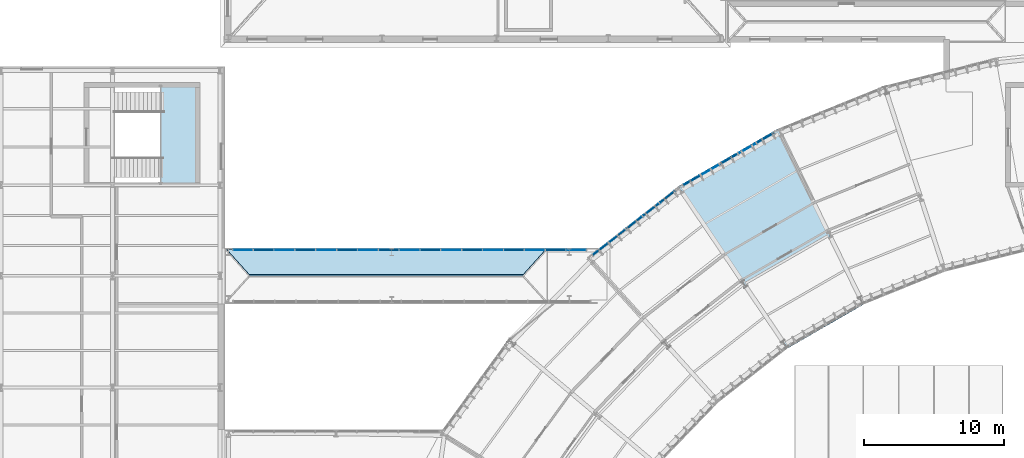
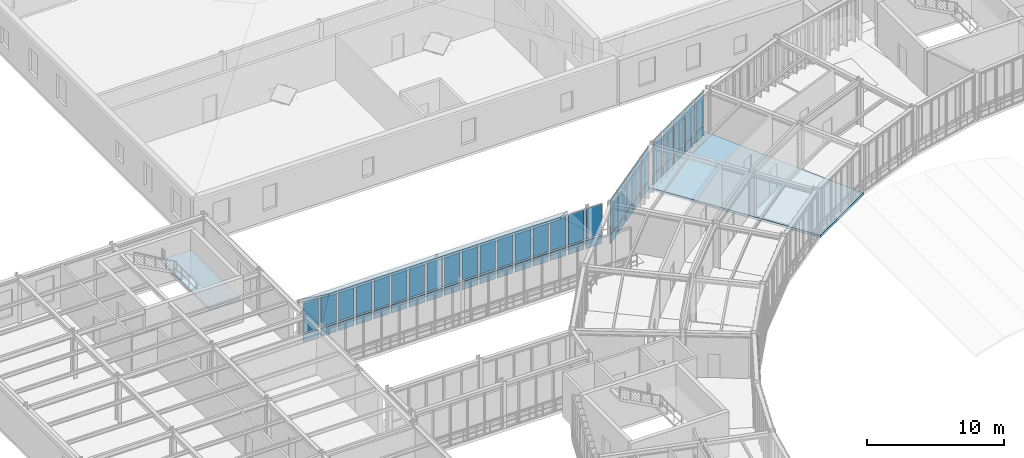
# One storey, part 31 of 57: 54 plates, 3 slabs, 4 elements without a shape of their own.
"""IFC4 building model written with IfcOpenShell, lengths in metres."""

from ifc_helpers import new_model, si_unit, direction, frame, origin, origin_2d, place, context, subcontext, project, spatial, polyline, rectangle, outline, extrude, material, layer, layer_set, type_object, element, aggregate, save


model = new_model("IFC4")

# Units and contexts
model_context = context("Model", 3, precision=1e-05, world=origin(), true_north=direction((0.0, 1.0)))
body_context = subcontext(model_context, "Body", "Model", "MODEL_VIEW")
ifc_project = project(units=[si_unit("LENGTHUNIT", "METRE"), si_unit("AREAUNIT", "SQUARE_METRE"), si_unit("VOLUMEUNIT", "CUBIC_METRE"), si_unit("PLANEANGLEUNIT", "RADIAN"), si_unit("MASSUNIT", "GRAM", prefix="KILO"), si_unit("THERMODYNAMICTEMPERATUREUNIT", "KELVIN"), si_unit("POWERUNIT", "WATT")], contexts=[model_context])

# Site, building, storey
site_placement = place(None, origin())
site = spatial("IfcSite", under=ifc_project, at=site_placement, CompositionType="ELEMENT")
building_placement = place(site_placement, origin())
building = spatial("IfcBuilding", under=site, at=building_placement, Name="Solvatero Civic Police Headquarters", CompositionType="ELEMENT")
storey_placement = place(building_placement, frame((0.0, 0.0, 9.300048828125)))
storey = spatial("IfcBuildingStorey", under=building, at=storey_placement, Name="L02", CompositionType="ELEMENT", Elevation=9.300048828125)

# Curtain wall, plates
ifc_material_1 = material(Name="Anodized Bronze Aluminium", Category="aluminium")
ifc_layer_1 = layer(ifc_material_1, 0.179931640625)
ifc_layer_set_1 = layer_set([ifc_layer_1], Name="Anodized Bronze Aluminium")
curtain_wall_type_1 = type_object("IfcCurtainWallType", Name="CW-ARC-OUT", PredefinedType="USERDEFINED", material=ifc_layer_set_1)
curtain_wall_1_placement = place(storey_placement, origin())
curtain_wall_1 = element("IfcCurtainWall", 1, at=curtain_wall_1_placement, inside=storey, type_object=curtain_wall_type_1, Name="Curtain Wall CW-R2-L02-ARC-OUT-B05", ObjectType="UNITISED", PredefinedType="USERDEFINED")
ifc_material_2 = material(Name="Triple Low-E Laminated Glass", Category="glass")
ifc_layer_2 = layer(ifc_material_2, 0.0380859375)
ifc_layer_set_2 = layer_set([ifc_layer_2], Name="Triple Low-E Laminated Glass")
plate_type_1 = type_object("IfcPlateType", Name="CWP-GLZ-38", PredefinedType="CURTAIN_PANEL", material=ifc_layer_set_2)
plate_1_placement = place(storey_placement, frame((65.9462890625, 77.626220703125, 0.91015625), z_axis=(0.0, 0.0, 1.0), x_axis=(-0.866025403784, -0.5, 0.0)))
plate_1 = element("IfcPlate", 2, at=plate_1_placement, type_object=plate_type_1, Name="CW-R2-L02-ARC-OUT-B05 Vision Glazing 2", PredefinedType="CURTAIN_PANEL", context=body_context, shape_type="SweptSolid", body=[
    extrude(rectangle(XDim=1.349609375, YDim=0.0380859375, at=origin_2d()), origin(), (0.0, 0.0, 1.0), 2.969970703125),
])
plate_2_placement = place(storey_placement, frame((63.297119140625, 76.0966796875, 0.91015625), z_axis=(0.0, 0.0, 1.0), x_axis=(-0.866025403784, -0.5, 0.0)))
plate_2 = element("IfcPlate", 3, at=plate_2_placement, type_object=plate_type_1, Name="CW-R2-L02-ARC-OUT-B05 Vision Glazing 4", PredefinedType="CURTAIN_PANEL", context=body_context, shape_type="SweptSolid", body=[
    extrude(rectangle(XDim=1.349609375, YDim=0.0380859375, at=origin_2d()), origin(), (0.0, 0.0, 1.0), 2.969970703125),
])

curtain_wall_2_placement = place(storey_placement, origin())
curtain_wall_2 = element("IfcCurtainWall", 4, at=curtain_wall_2_placement, inside=storey, type_object=curtain_wall_type_1, Name="Curtain Wall CW-R2-L02-ARC-OUT-B06", ObjectType="UNITISED", PredefinedType="USERDEFINED")
plate_3_placement = place(storey_placement, frame((59.05517578125, 73.23583984375, 0.91015625), z_axis=(0.0, 0.0, 1.0), x_axis=(-0.788021498807, -0.61564772185, 0.0)))
plate_3 = element("IfcPlate", 5, at=plate_3_placement, type_object=plate_type_1, Name="CW-R2-L02-ARC-OUT-B06 Vision Glazing 2", PredefinedType="CURTAIN_PANEL", context=body_context, shape_type="SweptSolid", body=[
    extrude(rectangle(XDim=1.347412109375, YDim=0.0380859375, at=origin_2d()), origin(), (0.0, 0.0, 1.0), 2.969970703125),
])
plate_4_placement = place(storey_placement, frame((56.64794921875, 71.355224609375, 0.91015625), z_axis=(0.0, 0.0, 1.0), x_axis=(-0.788021498807, -0.61564772185, 0.0)))
plate_4 = element("IfcPlate", 6, at=plate_4_placement, type_object=plate_type_1, Name="CW-R2-L02-ARC-OUT-B06 Vision Glazing 4", PredefinedType="CURTAIN_PANEL", context=body_context, shape_type="SweptSolid", body=[
    extrude(rectangle(XDim=1.347412109375, YDim=0.0380859375, at=origin_2d()), origin(), (0.0, 0.0, 1.0), 2.969970703125),
])

ifc_layer_3 = layer(ifc_material_1, 0.179931640625)
ifc_layer_set_3 = layer_set([ifc_layer_3], Name="Anodized Bronze Aluminium")
curtain_wall_type_2 = type_object("IfcCurtainWallType", Name="CW-SB-GLZ", PredefinedType="USERDEFINED", material=ifc_layer_set_3)
curtain_wall_3_placement = place(storey_placement, origin())
curtain_wall_3 = element("IfcCurtainWall", 7, at=curtain_wall_3_placement, inside=storey, type_object=curtain_wall_type_2, Name="Curtain Wall CW-R2-L02-SB2-N", ObjectType="UNITISED", PredefinedType="USERDEFINED")
plate_5_placement = place(storey_placement, frame((29.82568359375, 70.35009765625, 0.91015625), z_axis=(0.0, 0.0, 1.0), x_axis=(1.0, 0.0, 0.0)))
plate_5 = element("IfcPlate", 8, at=plate_5_placement, type_object=plate_type_1, Name="CW-R2-L02-SB2-N Vision Glazing 1", PredefinedType="CURTAIN_PANEL", context=body_context, shape_type="SweptSolid", body=[
    extrude(rectangle(XDim=1.313232421875, YDim=0.0380859375, at=origin_2d()), origin(), (0.0, 0.0, 1.0), 2.679931640625),
])
plate_6_placement = place(storey_placement, frame((32.812255859375, 70.35009765625, 0.91015625), z_axis=(0.0, 0.0, 1.0), x_axis=(1.0, 0.0, 0.0)))
plate_6 = element("IfcPlate", 9, at=plate_6_placement, type_object=plate_type_1, Name="CW-R2-L02-SB2-N Vision Glazing 3", PredefinedType="CURTAIN_PANEL", context=body_context, shape_type="SweptSolid", body=[
    extrude(rectangle(XDim=1.313232421875, YDim=0.0380859375, at=origin_2d()), origin(), (0.0, 0.0, 1.0), 2.679931640625),
])
plate_7_placement = place(storey_placement, frame((35.799072265625, 70.35009765625, 0.91015625), z_axis=(0.0, 0.0, 1.0), x_axis=(1.0, 0.0, 0.0)))
plate_7 = element("IfcPlate", 10, at=plate_7_placement, type_object=plate_type_1, Name="CW-R2-L02-SB2-N Vision Glazing 5", PredefinedType="CURTAIN_PANEL", context=body_context, shape_type="SweptSolid", body=[
    extrude(rectangle(XDim=1.313232421875, YDim=0.0380859375, at=origin_2d()), origin(), (0.0, 0.0, 1.0), 2.679931640625),
])
plate_8_placement = place(storey_placement, frame((38.78564453125, 70.35009765625, 0.91015625), z_axis=(0.0, 0.0, 1.0), x_axis=(1.0, 0.0, 0.0)))
plate_8 = element("IfcPlate", 11, at=plate_8_placement, type_object=plate_type_1, Name="CW-R2-L02-SB2-N Vision Glazing 7", PredefinedType="CURTAIN_PANEL", context=body_context, shape_type="SweptSolid", body=[
    extrude(rectangle(XDim=1.313232421875, YDim=0.0380859375, at=origin_2d()), origin(), (0.0, 0.0, 1.0), 2.679931640625),
])
plate_9_placement = place(storey_placement, frame((41.772216796875, 70.35009765625, 0.91015625), z_axis=(0.0, 0.0, 1.0), x_axis=(1.0, 0.0, 0.0)))
plate_9 = element("IfcPlate", 12, at=plate_9_placement, type_object=plate_type_1, Name="CW-R2-L02-SB2-N Vision Glazing 9", PredefinedType="CURTAIN_PANEL", context=body_context, shape_type="SweptSolid", body=[
    extrude(rectangle(XDim=1.313232421875, YDim=0.0380859375, at=origin_2d()), origin(), (0.0, 0.0, 1.0), 2.679931640625),
])
plate_10_placement = place(storey_placement, frame((44.7587890625, 70.35009765625, 0.91015625), z_axis=(0.0, 0.0, 1.0), x_axis=(1.0, 0.0, 0.0)))
plate_10 = element("IfcPlate", 13, at=plate_10_placement, type_object=plate_type_1, Name="CW-R2-L02-SB2-N Vision Glazing 11", PredefinedType="CURTAIN_PANEL", context=body_context, shape_type="SweptSolid", body=[
    extrude(rectangle(XDim=1.313232421875, YDim=0.0380859375, at=origin_2d()), origin(), (0.0, 0.0, 1.0), 2.679931640625),
])
plate_11_placement = place(storey_placement, frame((47.74560546875, 70.35009765625, 0.91015625), z_axis=(0.0, 0.0, 1.0), x_axis=(1.0, 0.0, 0.0)))
plate_11 = element("IfcPlate", 14, at=plate_11_placement, type_object=plate_type_1, Name="CW-R2-L02-SB2-N Vision Glazing 13", PredefinedType="CURTAIN_PANEL", context=body_context, shape_type="SweptSolid", body=[
    extrude(rectangle(XDim=1.313232421875, YDim=0.0380859375, at=origin_2d()), origin(), (0.0, 0.0, 1.0), 2.679931640625),
])
plate_12_placement = place(storey_placement, frame((50.732177734375, 70.35009765625, 0.91015625), z_axis=(0.0, 0.0, 1.0), x_axis=(1.0, 0.0, 0.0)))
plate_12 = element("IfcPlate", 15, at=plate_12_placement, type_object=plate_type_1, Name="CW-R2-L02-SB2-N Vision Glazing 15", PredefinedType="CURTAIN_PANEL", context=body_context, shape_type="SweptSolid", body=[
    extrude(rectangle(XDim=1.313232421875, YDim=0.0380859375, at=origin_2d()), origin(), (0.0, 0.0, 1.0), 2.679931640625),
])
plate_13_placement = place(storey_placement, frame((53.71875, 70.35009765625, 0.91015625), z_axis=(0.0, 0.0, 1.0), x_axis=(1.0, 0.0, 0.0)))
plate_13 = element("IfcPlate", 16, at=plate_13_placement, type_object=plate_type_1, Name="CW-R2-L02-SB2-N Vision Glazing 17", PredefinedType="CURTAIN_PANEL", context=body_context, shape_type="SweptSolid", body=[
    extrude(rectangle(XDim=1.313232421875, YDim=0.0380859375, at=origin_2d()), origin(), (0.0, 0.0, 1.0), 2.679931640625),
])

# Plate
ifc_material_3 = material(Name="Acoustic Ballistic Laminated Glass", Category="glass")
ifc_layer_4 = layer(ifc_material_3, 0.0439453125)
ifc_layer_set_4 = layer_set([ifc_layer_4], Name="Acoustic Ballistic Laminated Glass")
plate_type_2 = type_object("IfcPlateType", Name="CWP-GLZ-44", PredefinedType="CURTAIN_PANEL", material=ifc_layer_set_4)
plate_14_placement = place(storey_placement, frame((67.270751953125, 78.39111328125, 0.91015625), z_axis=(0.0, 0.0, 1.0), x_axis=(-0.866025403784, -0.5, 0.0)))
plate_14 = element("IfcPlate", 17, at=plate_14_placement, type_object=plate_type_2, Name="CW-R2-L02-ARC-OUT-B05 Vision Glazing 1", PredefinedType="CURTAIN_PANEL", context=body_context, shape_type="SweptSolid", body=[
    extrude(rectangle(XDim=1.349609375, YDim=0.0439453125, at=origin_2d()), origin(), (0.0, 0.0, 1.0), 2.969970703125),
])

plate_15_placement = place(storey_placement, frame((64.62158203125, 76.861572265625, 0.91015625), z_axis=(0.0, 0.0, 1.0), x_axis=(-0.866025403784, -0.5, 0.0)))
plate_15 = element("IfcPlate", 18, at=plate_15_placement, type_object=plate_type_2, Name="CW-R2-L02-ARC-OUT-B05 Vision Glazing 3", PredefinedType="CURTAIN_PANEL", context=body_context, shape_type="SweptSolid", body=[
    extrude(rectangle(XDim=1.349609375, YDim=0.0439453125, at=origin_2d()), origin(), (0.0, 0.0, 1.0), 2.969970703125),
])

plate_16_placement = place(storey_placement, frame((61.97265625, 75.33203125, 0.91015625), z_axis=(0.0, 0.0, 1.0), x_axis=(-0.866025403784, -0.5, 0.0)))
plate_16 = element("IfcPlate", 19, at=plate_16_placement, type_object=plate_type_2, Name="CW-R2-L02-ARC-OUT-B05 Vision Glazing 5", PredefinedType="CURTAIN_PANEL", context=body_context, shape_type="SweptSolid", body=[
    extrude(rectangle(XDim=1.349609375, YDim=0.0439453125, at=origin_2d()), origin(), (0.0, 0.0, 1.0), 2.969970703125),
])

plate_17_placement = place(storey_placement, frame((60.258544921875, 74.176025390625, 0.91015625), z_axis=(0.0, 0.0, 1.0), x_axis=(-0.788021498807, -0.61564772185, 0.0)))
plate_17 = element("IfcPlate", 20, at=plate_17_placement, type_object=plate_type_2, Name="CW-R2-L02-ARC-OUT-B06 Vision Glazing 1", PredefinedType="CURTAIN_PANEL", context=body_context, shape_type="SweptSolid", body=[
    extrude(rectangle(XDim=1.347412109375, YDim=0.0439453125, at=origin_2d()), origin(), (0.0, 0.0, 1.0), 2.969970703125),
])

plate_18_placement = place(storey_placement, frame((57.8515625, 72.29541015625, 0.91015625), z_axis=(0.0, 0.0, 1.0), x_axis=(-0.788021498807, -0.61564772185, 0.0)))
plate_18 = element("IfcPlate", 21, at=plate_18_placement, type_object=plate_type_2, Name="CW-R2-L02-ARC-OUT-B06 Vision Glazing 3", PredefinedType="CURTAIN_PANEL", context=body_context, shape_type="SweptSolid", body=[
    extrude(rectangle(XDim=1.347412109375, YDim=0.0439453125, at=origin_2d()), origin(), (0.0, 0.0, 1.0), 2.969970703125),
])

plate_19_placement = place(storey_placement, frame((55.444580078125, 70.414794921875, 0.91015625), z_axis=(0.0, 0.0, 1.0), x_axis=(-0.788021498807, -0.61564772185, 0.0)))
plate_19 = element("IfcPlate", 22, at=plate_19_placement, type_object=plate_type_2, Name="CW-R2-L02-ARC-OUT-B06 Vision Glazing 5", PredefinedType="CURTAIN_PANEL", context=body_context, shape_type="SweptSolid", body=[
    extrude(rectangle(XDim=1.347412109375, YDim=0.0439453125, at=origin_2d()), origin(), (0.0, 0.0, 1.0), 2.969970703125),
])

plate_20_placement = place(storey_placement, frame((31.319091796875, 70.35009765625, 0.91015625), z_axis=(0.0, 0.0, 1.0), x_axis=(1.0, 0.0, 0.0)))
plate_20 = element("IfcPlate", 23, at=plate_20_placement, type_object=plate_type_2, Name="CW-R2-L02-SB2-N Vision Glazing 2", PredefinedType="CURTAIN_PANEL", context=body_context, shape_type="SweptSolid", body=[
    extrude(rectangle(XDim=1.313232421875, YDim=0.0439453125, at=origin_2d()), origin(), (0.0, 0.0, 1.0), 2.679931640625),
])

plate_21_placement = place(storey_placement, frame((34.3056640625, 70.35009765625, 0.91015625), z_axis=(0.0, 0.0, 1.0), x_axis=(1.0, 0.0, 0.0)))
plate_21 = element("IfcPlate", 24, at=plate_21_placement, type_object=plate_type_2, Name="CW-R2-L02-SB2-N Vision Glazing 4", PredefinedType="CURTAIN_PANEL", context=body_context, shape_type="SweptSolid", body=[
    extrude(rectangle(XDim=1.313232421875, YDim=0.0439453125, at=origin_2d()), origin(), (0.0, 0.0, 1.0), 2.679931640625),
])

plate_22_placement = place(storey_placement, frame((37.292236328125, 70.35009765625, 0.91015625), z_axis=(0.0, 0.0, 1.0), x_axis=(1.0, 0.0, 0.0)))
plate_22 = element("IfcPlate", 25, at=plate_22_placement, type_object=plate_type_2, Name="CW-R2-L02-SB2-N Vision Glazing 6", PredefinedType="CURTAIN_PANEL", context=body_context, shape_type="SweptSolid", body=[
    extrude(rectangle(XDim=1.313232421875, YDim=0.0439453125, at=origin_2d()), origin(), (0.0, 0.0, 1.0), 2.679931640625),
])

plate_23_placement = place(storey_placement, frame((40.27880859375, 70.35009765625, 0.91015625), z_axis=(0.0, 0.0, 1.0), x_axis=(1.0, 0.0, 0.0)))
plate_23 = element("IfcPlate", 26, at=plate_23_placement, type_object=plate_type_2, Name="CW-R2-L02-SB2-N Vision Glazing 8", PredefinedType="CURTAIN_PANEL", context=body_context, shape_type="SweptSolid", body=[
    extrude(rectangle(XDim=1.313232421875, YDim=0.0439453125, at=origin_2d()), origin(), (0.0, 0.0, 1.0), 2.679931640625),
])

plate_24_placement = place(storey_placement, frame((43.265625, 70.35009765625, 0.91015625), z_axis=(0.0, 0.0, 1.0), x_axis=(1.0, 0.0, 0.0)))
plate_24 = element("IfcPlate", 27, at=plate_24_placement, type_object=plate_type_2, Name="CW-R2-L02-SB2-N Vision Glazing 10", PredefinedType="CURTAIN_PANEL", context=body_context, shape_type="SweptSolid", body=[
    extrude(rectangle(XDim=1.313232421875, YDim=0.0439453125, at=origin_2d()), origin(), (0.0, 0.0, 1.0), 2.679931640625),
])

plate_25_placement = place(storey_placement, frame((46.252197265625, 70.35009765625, 0.91015625), z_axis=(0.0, 0.0, 1.0), x_axis=(1.0, 0.0, 0.0)))
plate_25 = element("IfcPlate", 28, at=plate_25_placement, type_object=plate_type_2, Name="CW-R2-L02-SB2-N Vision Glazing 12", PredefinedType="CURTAIN_PANEL", context=body_context, shape_type="SweptSolid", body=[
    extrude(rectangle(XDim=1.313232421875, YDim=0.0439453125, at=origin_2d()), origin(), (0.0, 0.0, 1.0), 2.679931640625),
])

plate_26_placement = place(storey_placement, frame((49.239013671875, 70.35009765625, 0.91015625), z_axis=(0.0, 0.0, 1.0), x_axis=(1.0, 0.0, 0.0)))
plate_26 = element("IfcPlate", 29, at=plate_26_placement, type_object=plate_type_2, Name="CW-R2-L02-SB2-N Vision Glazing 14", PredefinedType="CURTAIN_PANEL", context=body_context, shape_type="SweptSolid", body=[
    extrude(rectangle(XDim=1.313232421875, YDim=0.0439453125, at=origin_2d()), origin(), (0.0, 0.0, 1.0), 2.679931640625),
])

plate_27_placement = place(storey_placement, frame((52.2255859375, 70.35009765625, 0.91015625), z_axis=(0.0, 0.0, 1.0), x_axis=(1.0, 0.0, 0.0)))
plate_27 = element("IfcPlate", 30, at=plate_27_placement, type_object=plate_type_2, Name="CW-R2-L02-SB2-N Vision Glazing 16", PredefinedType="CURTAIN_PANEL", context=body_context, shape_type="SweptSolid", body=[
    extrude(rectangle(XDim=1.313232421875, YDim=0.0439453125, at=origin_2d()), origin(), (0.0, 0.0, 1.0), 2.679931640625),
])

ifc_material_4 = material(Name="Insulated Bronze Aluminium Spandrel", Category="aluminium")
ifc_layer_5 = layer(ifc_material_4, 0.06005859375)
ifc_layer_set_5 = layer_set([ifc_layer_5], Name="Insulated Bronze Aluminium Spandrel")
plate_type_3 = type_object("IfcPlateType", Name="CWP-SPN-60", PredefinedType="CURTAIN_PANEL", material=ifc_layer_set_5)
plate_28_placement = place(storey_placement, frame((65.9462890625, 77.626220703125, 0.06005859375), z_axis=(0.0, 0.0, 1.0), x_axis=(-0.866025403784, -0.5, 0.0)))
plate_28 = element("IfcPlate", 31, at=plate_28_placement, type_object=plate_type_3, Name="CW-R2-L02-ARC-OUT-B05 Spandrel Panel 2", PredefinedType="CURTAIN_PANEL", context=body_context, shape_type="SweptSolid", body=[
    extrude(rectangle(XDim=1.349609375, YDim=0.06005859375, at=origin_2d()), origin(), (0.0, 0.0, 1.0), 0.72998046875),
])

plate_29_placement = place(storey_placement, frame((63.297119140625, 76.0966796875, 0.06005859375), z_axis=(0.0, 0.0, 1.0), x_axis=(-0.866025403784, -0.5, 0.0)))
plate_29 = element("IfcPlate", 32, at=plate_29_placement, type_object=plate_type_3, Name="CW-R2-L02-ARC-OUT-B05 Spandrel Panel 4", PredefinedType="CURTAIN_PANEL", context=body_context, shape_type="SweptSolid", body=[
    extrude(rectangle(XDim=1.349609375, YDim=0.06005859375, at=origin_2d()), origin(), (0.0, 0.0, 1.0), 0.72998046875),
])

plate_30_placement = place(storey_placement, frame((59.05517578125, 73.23583984375, 0.06005859375), z_axis=(0.0, 0.0, 1.0), x_axis=(-0.788021498807, -0.61564772185, 0.0)))
plate_30 = element("IfcPlate", 33, at=plate_30_placement, type_object=plate_type_3, Name="CW-R2-L02-ARC-OUT-B06 Spandrel Panel 2", PredefinedType="CURTAIN_PANEL", context=body_context, shape_type="SweptSolid", body=[
    extrude(rectangle(XDim=1.347412109375, YDim=0.06005859375, at=origin_2d()), origin(), (0.0, 0.0, 1.0), 0.72998046875),
])

plate_31_placement = place(storey_placement, frame((56.64794921875, 71.355224609375, 0.06005859375), z_axis=(0.0, 0.0, 1.0), x_axis=(-0.788021498807, -0.61564772185, 0.0)))
plate_31 = element("IfcPlate", 34, at=plate_31_placement, type_object=plate_type_3, Name="CW-R2-L02-ARC-OUT-B06 Spandrel Panel 4", PredefinedType="CURTAIN_PANEL", context=body_context, shape_type="SweptSolid", body=[
    extrude(rectangle(XDim=1.347412109375, YDim=0.06005859375, at=origin_2d()), origin(), (0.0, 0.0, 1.0), 0.72998046875),
])

plate_32_placement = place(storey_placement, frame((29.82568359375, 70.35009765625, 0.06005859375), z_axis=(0.0, 0.0, 1.0), x_axis=(1.0, 0.0, 0.0)))
plate_32 = element("IfcPlate", 35, at=plate_32_placement, type_object=plate_type_3, Name="CW-R2-L02-SB2-N Spandrel Panel 1", PredefinedType="CURTAIN_PANEL", context=body_context, shape_type="SweptSolid", body=[
    extrude(rectangle(XDim=1.313232421875, YDim=0.06005859375, at=origin_2d()), origin(), (0.0, 0.0, 1.0), 0.72998046875),
])

plate_33_placement = place(storey_placement, frame((32.812255859375, 70.35009765625, 0.06005859375), z_axis=(0.0, 0.0, 1.0), x_axis=(1.0, 0.0, 0.0)))
plate_33 = element("IfcPlate", 36, at=plate_33_placement, type_object=plate_type_3, Name="CW-R2-L02-SB2-N Spandrel Panel 3", PredefinedType="CURTAIN_PANEL", context=body_context, shape_type="SweptSolid", body=[
    extrude(rectangle(XDim=1.313232421875, YDim=0.06005859375, at=origin_2d()), origin(), (0.0, 0.0, 1.0), 0.72998046875),
])

plate_34_placement = place(storey_placement, frame((35.799072265625, 70.35009765625, 0.06005859375), z_axis=(0.0, 0.0, 1.0), x_axis=(1.0, 0.0, 0.0)))
plate_34 = element("IfcPlate", 37, at=plate_34_placement, type_object=plate_type_3, Name="CW-R2-L02-SB2-N Spandrel Panel 5", PredefinedType="CURTAIN_PANEL", context=body_context, shape_type="SweptSolid", body=[
    extrude(rectangle(XDim=1.313232421875, YDim=0.06005859375, at=origin_2d()), origin(), (0.0, 0.0, 1.0), 0.72998046875),
])

plate_35_placement = place(storey_placement, frame((38.78564453125, 70.35009765625, 0.06005859375), z_axis=(0.0, 0.0, 1.0), x_axis=(1.0, 0.0, 0.0)))
plate_35 = element("IfcPlate", 38, at=plate_35_placement, type_object=plate_type_3, Name="CW-R2-L02-SB2-N Spandrel Panel 7", PredefinedType="CURTAIN_PANEL", context=body_context, shape_type="SweptSolid", body=[
    extrude(rectangle(XDim=1.313232421875, YDim=0.06005859375, at=origin_2d()), origin(), (0.0, 0.0, 1.0), 0.72998046875),
])

plate_36_placement = place(storey_placement, frame((41.772216796875, 70.35009765625, 0.06005859375), z_axis=(0.0, 0.0, 1.0), x_axis=(1.0, 0.0, 0.0)))
plate_36 = element("IfcPlate", 39, at=plate_36_placement, type_object=plate_type_3, Name="CW-R2-L02-SB2-N Spandrel Panel 9", PredefinedType="CURTAIN_PANEL", context=body_context, shape_type="SweptSolid", body=[
    extrude(rectangle(XDim=1.313232421875, YDim=0.06005859375, at=origin_2d()), origin(), (0.0, 0.0, 1.0), 0.72998046875),
])

plate_37_placement = place(storey_placement, frame((44.7587890625, 70.35009765625, 0.06005859375), z_axis=(0.0, 0.0, 1.0), x_axis=(1.0, 0.0, 0.0)))
plate_37 = element("IfcPlate", 40, at=plate_37_placement, type_object=plate_type_3, Name="CW-R2-L02-SB2-N Spandrel Panel 11", PredefinedType="CURTAIN_PANEL", context=body_context, shape_type="SweptSolid", body=[
    extrude(rectangle(XDim=1.313232421875, YDim=0.06005859375, at=origin_2d()), origin(), (0.0, 0.0, 1.0), 0.72998046875),
])

plate_38_placement = place(storey_placement, frame((47.74560546875, 70.35009765625, 0.06005859375), z_axis=(0.0, 0.0, 1.0), x_axis=(1.0, 0.0, 0.0)))
plate_38 = element("IfcPlate", 41, at=plate_38_placement, type_object=plate_type_3, Name="CW-R2-L02-SB2-N Spandrel Panel 13", PredefinedType="CURTAIN_PANEL", context=body_context, shape_type="SweptSolid", body=[
    extrude(rectangle(XDim=1.313232421875, YDim=0.06005859375, at=origin_2d()), origin(), (0.0, 0.0, 1.0), 0.72998046875),
])

plate_39_placement = place(storey_placement, frame((50.732177734375, 70.35009765625, 0.06005859375), z_axis=(0.0, 0.0, 1.0), x_axis=(1.0, 0.0, 0.0)))
plate_39 = element("IfcPlate", 42, at=plate_39_placement, type_object=plate_type_3, Name="CW-R2-L02-SB2-N Spandrel Panel 15", PredefinedType="CURTAIN_PANEL", context=body_context, shape_type="SweptSolid", body=[
    extrude(rectangle(XDim=1.313232421875, YDim=0.06005859375, at=origin_2d()), origin(), (0.0, 0.0, 1.0), 0.72998046875),
])

plate_40_placement = place(storey_placement, frame((53.71875, 70.35009765625, 0.06005859375), z_axis=(0.0, 0.0, 1.0), x_axis=(1.0, 0.0, 0.0)))
plate_40 = element("IfcPlate", 43, at=plate_40_placement, type_object=plate_type_3, Name="CW-R2-L02-SB2-N Spandrel Panel 17", PredefinedType="CURTAIN_PANEL", context=body_context, shape_type="SweptSolid", body=[
    extrude(rectangle(XDim=1.313232421875, YDim=0.06005859375, at=origin_2d()), origin(), (0.0, 0.0, 1.0), 0.72998046875),
])

ifc_material_5 = material(Name="Limestone Veneer Spandrel Panel", Category="masonry")
ifc_layer_6 = layer(ifc_material_5, 0.074951171875)
ifc_layer_set_6 = layer_set([ifc_layer_6], Name="Limestone Veneer Spandrel Panel")
plate_type_4 = type_object("IfcPlateType", Name="CWP-SPN-75", PredefinedType="CURTAIN_PANEL", material=ifc_layer_set_6)
plate_41_placement = place(storey_placement, frame((67.270751953125, 78.39111328125, 0.06005859375), z_axis=(0.0, 0.0, 1.0), x_axis=(-0.866025403784, -0.5, 0.0)))
plate_41 = element("IfcPlate", 44, at=plate_41_placement, type_object=plate_type_4, Name="CW-R2-L02-ARC-OUT-B05 Spandrel Panel 1", PredefinedType="CURTAIN_PANEL", context=body_context, shape_type="SweptSolid", body=[
    extrude(rectangle(XDim=1.349609375, YDim=0.074951171875, at=origin_2d()), origin(), (0.0, 0.0, 1.0), 0.72998046875),
])

plate_42_placement = place(storey_placement, frame((64.62158203125, 76.861572265625, 0.06005859375), z_axis=(0.0, 0.0, 1.0), x_axis=(-0.866025403784, -0.5, 0.0)))
plate_42 = element("IfcPlate", 45, at=plate_42_placement, type_object=plate_type_4, Name="CW-R2-L02-ARC-OUT-B05 Spandrel Panel 3", PredefinedType="CURTAIN_PANEL", context=body_context, shape_type="SweptSolid", body=[
    extrude(rectangle(XDim=1.349609375, YDim=0.074951171875, at=origin_2d()), origin(), (0.0, 0.0, 1.0), 0.72998046875),
])

plate_43_placement = place(storey_placement, frame((61.97265625, 75.33203125, 0.06005859375), z_axis=(0.0, 0.0, 1.0), x_axis=(-0.866025403784, -0.5, 0.0)))
plate_43 = element("IfcPlate", 46, at=plate_43_placement, type_object=plate_type_4, Name="CW-R2-L02-ARC-OUT-B05 Spandrel Panel 5", PredefinedType="CURTAIN_PANEL", context=body_context, shape_type="SweptSolid", body=[
    extrude(rectangle(XDim=1.349609375, YDim=0.074951171875, at=origin_2d()), origin(), (0.0, 0.0, 1.0), 0.72998046875),
])

aggregate(curtain_wall_1, [plate_41, plate_14, plate_28, plate_1, plate_42, plate_15, plate_29, plate_2, plate_43, plate_16])

plate_44_placement = place(storey_placement, frame((60.258544921875, 74.176025390625, 0.06005859375), z_axis=(0.0, 0.0, 1.0), x_axis=(-0.788021498807, -0.61564772185, 0.0)))
plate_44 = element("IfcPlate", 47, at=plate_44_placement, type_object=plate_type_4, Name="CW-R2-L02-ARC-OUT-B06 Spandrel Panel 1", PredefinedType="CURTAIN_PANEL", context=body_context, shape_type="SweptSolid", body=[
    extrude(rectangle(XDim=1.347412109375, YDim=0.074951171875, at=origin_2d()), origin(), (0.0, 0.0, 1.0), 0.72998046875),
])

plate_45_placement = place(storey_placement, frame((57.8515625, 72.29541015625, 0.06005859375), z_axis=(0.0, 0.0, 1.0), x_axis=(-0.788021498807, -0.61564772185, 0.0)))
plate_45 = element("IfcPlate", 48, at=plate_45_placement, type_object=plate_type_4, Name="CW-R2-L02-ARC-OUT-B06 Spandrel Panel 3", PredefinedType="CURTAIN_PANEL", context=body_context, shape_type="SweptSolid", body=[
    extrude(rectangle(XDim=1.347412109375, YDim=0.074951171875, at=origin_2d()), origin(), (0.0, 0.0, 1.0), 0.72998046875),
])

plate_46_placement = place(storey_placement, frame((55.444580078125, 70.414794921875, 0.06005859375), z_axis=(0.0, 0.0, 1.0), x_axis=(-0.788021498807, -0.61564772185, 0.0)))
plate_46 = element("IfcPlate", 49, at=plate_46_placement, type_object=plate_type_4, Name="CW-R2-L02-ARC-OUT-B06 Spandrel Panel 5", PredefinedType="CURTAIN_PANEL", context=body_context, shape_type="SweptSolid", body=[
    extrude(rectangle(XDim=1.347412109375, YDim=0.074951171875, at=origin_2d()), origin(), (0.0, 0.0, 1.0), 0.72998046875),
])

aggregate(curtain_wall_2, [plate_44, plate_17, plate_30, plate_3, plate_45, plate_18, plate_31, plate_4, plate_46, plate_19])

plate_47_placement = place(storey_placement, frame((31.319091796875, 70.35009765625, 0.06005859375), z_axis=(0.0, 0.0, 1.0), x_axis=(1.0, 0.0, 0.0)))
plate_47 = element("IfcPlate", 50, at=plate_47_placement, type_object=plate_type_4, Name="CW-R2-L02-SB2-N Spandrel Panel 2", PredefinedType="CURTAIN_PANEL", context=body_context, shape_type="SweptSolid", body=[
    extrude(rectangle(XDim=1.313232421875, YDim=0.074951171875, at=origin_2d()), origin(), (0.0, 0.0, 1.0), 0.72998046875),
])

plate_48_placement = place(storey_placement, frame((34.3056640625, 70.35009765625, 0.06005859375), z_axis=(0.0, 0.0, 1.0), x_axis=(1.0, 0.0, 0.0)))
plate_48 = element("IfcPlate", 51, at=plate_48_placement, type_object=plate_type_4, Name="CW-R2-L02-SB2-N Spandrel Panel 4", PredefinedType="CURTAIN_PANEL", context=body_context, shape_type="SweptSolid", body=[
    extrude(rectangle(XDim=1.313232421875, YDim=0.074951171875, at=origin_2d()), origin(), (0.0, 0.0, 1.0), 0.72998046875),
])

plate_49_placement = place(storey_placement, frame((37.292236328125, 70.35009765625, 0.06005859375), z_axis=(0.0, 0.0, 1.0), x_axis=(1.0, 0.0, 0.0)))
plate_49 = element("IfcPlate", 52, at=plate_49_placement, type_object=plate_type_4, Name="CW-R2-L02-SB2-N Spandrel Panel 6", PredefinedType="CURTAIN_PANEL", context=body_context, shape_type="SweptSolid", body=[
    extrude(rectangle(XDim=1.313232421875, YDim=0.074951171875, at=origin_2d()), origin(), (0.0, 0.0, 1.0), 0.72998046875),
])

plate_50_placement = place(storey_placement, frame((40.27880859375, 70.35009765625, 0.06005859375), z_axis=(0.0, 0.0, 1.0), x_axis=(1.0, 0.0, 0.0)))
plate_50 = element("IfcPlate", 53, at=plate_50_placement, type_object=plate_type_4, Name="CW-R2-L02-SB2-N Spandrel Panel 8", PredefinedType="CURTAIN_PANEL", context=body_context, shape_type="SweptSolid", body=[
    extrude(rectangle(XDim=1.313232421875, YDim=0.074951171875, at=origin_2d()), origin(), (0.0, 0.0, 1.0), 0.72998046875),
])

plate_51_placement = place(storey_placement, frame((43.265625, 70.35009765625, 0.06005859375), z_axis=(0.0, 0.0, 1.0), x_axis=(1.0, 0.0, 0.0)))
plate_51 = element("IfcPlate", 54, at=plate_51_placement, type_object=plate_type_4, Name="CW-R2-L02-SB2-N Spandrel Panel 10", PredefinedType="CURTAIN_PANEL", context=body_context, shape_type="SweptSolid", body=[
    extrude(rectangle(XDim=1.313232421875, YDim=0.074951171875, at=origin_2d()), origin(), (0.0, 0.0, 1.0), 0.72998046875),
])

plate_52_placement = place(storey_placement, frame((46.252197265625, 70.35009765625, 0.06005859375), z_axis=(0.0, 0.0, 1.0), x_axis=(1.0, 0.0, 0.0)))
plate_52 = element("IfcPlate", 55, at=plate_52_placement, type_object=plate_type_4, Name="CW-R2-L02-SB2-N Spandrel Panel 12", PredefinedType="CURTAIN_PANEL", context=body_context, shape_type="SweptSolid", body=[
    extrude(rectangle(XDim=1.313232421875, YDim=0.074951171875, at=origin_2d()), origin(), (0.0, 0.0, 1.0), 0.72998046875),
])

plate_53_placement = place(storey_placement, frame((49.239013671875, 70.35009765625, 0.06005859375), z_axis=(0.0, 0.0, 1.0), x_axis=(1.0, 0.0, 0.0)))
plate_53 = element("IfcPlate", 56, at=plate_53_placement, type_object=plate_type_4, Name="CW-R2-L02-SB2-N Spandrel Panel 14", PredefinedType="CURTAIN_PANEL", context=body_context, shape_type="SweptSolid", body=[
    extrude(rectangle(XDim=1.313232421875, YDim=0.074951171875, at=origin_2d()), origin(), (0.0, 0.0, 1.0), 0.72998046875),
])

plate_54_placement = place(storey_placement, frame((52.2255859375, 70.35009765625, 0.06005859375), z_axis=(0.0, 0.0, 1.0), x_axis=(1.0, 0.0, 0.0)))
plate_54 = element("IfcPlate", 57, at=plate_54_placement, type_object=plate_type_4, Name="CW-R2-L02-SB2-N Spandrel Panel 16", PredefinedType="CURTAIN_PANEL", context=body_context, shape_type="SweptSolid", body=[
    extrude(rectangle(XDim=1.313232421875, YDim=0.074951171875, at=origin_2d()), origin(), (0.0, 0.0, 1.0), 0.72998046875),
])

aggregate(curtain_wall_3, [plate_32, plate_5, plate_47, plate_20, plate_33, plate_6, plate_48, plate_21, plate_34, plate_7, plate_49, plate_22, plate_35, plate_8, plate_50, plate_23, plate_36, plate_9, plate_51, plate_24, plate_37, plate_10, plate_52, plate_25, plate_38, plate_11, plate_53, plate_26, plate_39, plate_12, plate_54, plate_27, plate_40, plate_13])

# Slab
ifc_material_6 = material(Name="Concrete C35/45", Category="concrete")
ifc_layer_7 = layer(ifc_material_6, 0.199951171875)
ifc_layer_set_7 = layer_set([ifc_layer_7], Name="Concrete C35/45")
slab_type_1 = type_object("IfcSlabType", Name="SLB-COMP-200", PredefinedType="FLOOR", material=ifc_layer_set_7)
slab_1_placement = place(storey_placement, frame((0.0, 0.0, -0.219970703125)))
element("IfcSlab", 58, at=slab_1_placement, inside=storey, type_object=slab_type_1, Name="L02 Operations Arc Floor Slab Bay 5", PredefinedType="FLOOR", context=body_context, shape_type="SweptSolid", body=[
    extrude(outline(polyline([(68.134521484375, 79.02783203125), (74.271484375, 66.444580078125), (68.836181640625, 63.306640625), (61.007568359375, 74.9130859375), (68.134521484375, 79.02783203125)])), origin(), (0.0, 0.0, 1.0), 0.219970703125),
])

# Stair, slab
ifc_material_7 = material(Name="Precast concrete C40/50", Category="concrete")
stair_type = type_object("IfcStairType", Name="STR-C145-420", PredefinedType="HALF_TURN_STAIR", material=ifc_material_7)
stair_placement = place(storey_placement, origin())
stair = element("IfcStair", 59, at=stair_placement, inside=storey, type_object=stair_type, Name="Protected Exit Stair ST-C4 (L02 to L03)", PredefinedType="HALF_TURN_STAIR")
ifc_layer_8 = layer(ifc_material_7, 0.199951171875)
ifc_layer_set_8 = layer_set([ifc_layer_8], Name="Precast concrete C40/50")
slab_type_2 = type_object("IfcSlabType", Name="SLB-LND-200", PredefinedType="LANDING", material=ifc_layer_set_8)
slab_2_placement = place(storey_placement, frame((0.0, 0.0, 1.89990234375)))
slab_2 = element("IfcSlab", 60, at=slab_2_placement, type_object=slab_type_2, Name="ST-C4 L02 Half-Landing", PredefinedType="LANDING", context=body_context, shape_type="SweptSolid", body=[
    extrude(outline(polyline([(23.93994140625, 75.050048828125), (26.550048828125, 75.050048828125), (26.550048828125, 82.14990234375), (23.93994140625, 82.14990234375), (23.93994140625, 75.050048828125)])), origin(), (0.0, 0.0, 1.0), 0.199951171875),
])
aggregate(stair, [slab_2])

# Slab
ifc_layer_9 = layer(ifc_material_6, 0.179931640625)
ifc_layer_set_9 = layer_set([ifc_layer_9], Name="Concrete C35/45")
slab_type_3 = type_object("IfcSlabType", Name="SLB-RF-COT-180", PredefinedType="ROOF", material=ifc_layer_set_9)
slab_3_placement = place(storey_placement, frame((30.294921875, 68.593994140625, 5.042724609375), z_axis=(0.0, 0.521165293373, 0.853455761585), x_axis=(-0.60919257369, 0.676809472452, -0.41329571273)))
element("IfcSlab", 61, at=slab_3_placement, inside=storey, type_object=slab_type_3, Name="SB2R Lombard Hipped Roof Slab N", PredefinedType="ROOF", context=body_context, shape_type="SweptSolid", body=[
    extrude(outline(polyline([(0.0, 0.0), (2.6682667377325453, 1.6653345369377348e-16), (-11.258535852046021, -18.12934997637765), (-11.946331810664187, -15.551252983827059), (0.0, 0.0)])), origin(), (0.0, 0.0, -1.0), 0.179931640625),
])

save(model, "model.ifc")
